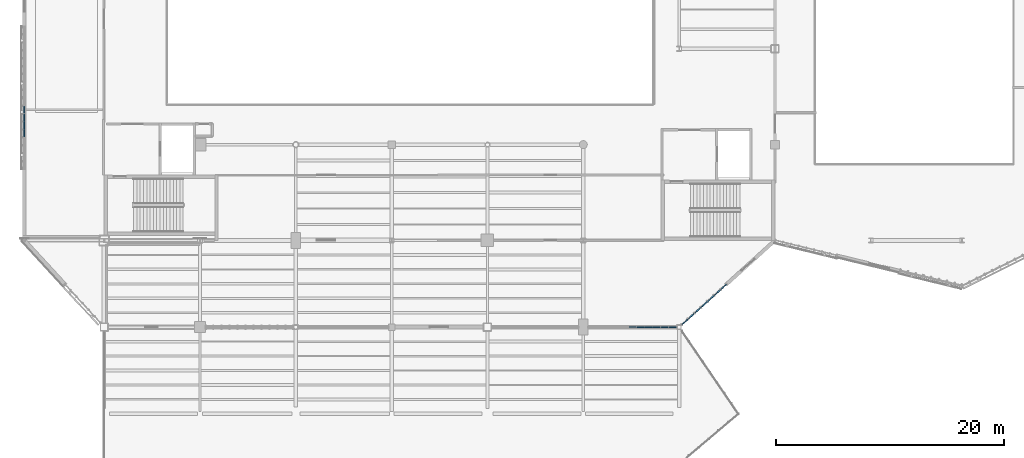
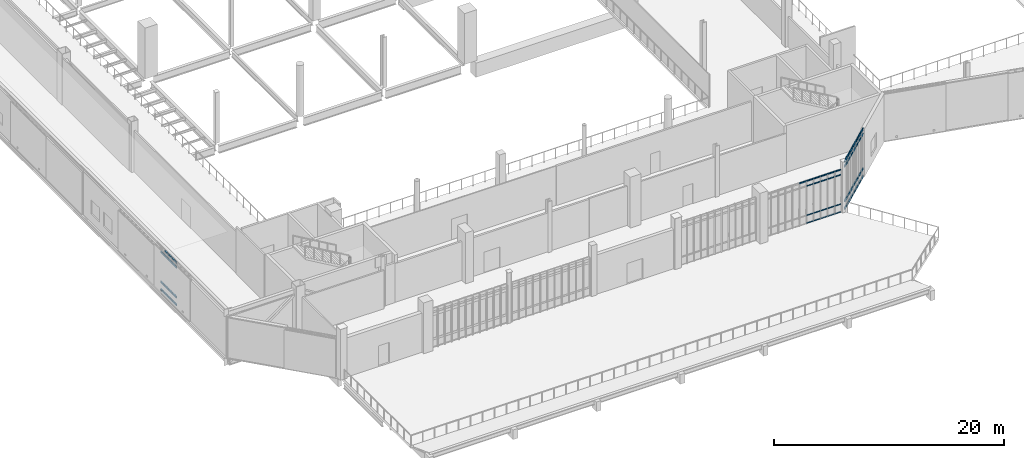
# One storey, part 48 of 127: 64 members, 3 elements without a shape of their own.
"""IFC4 building model written with IfcOpenShell, lengths in metres."""

import ifcopenshell
import ifcopenshell.guid

model = None  # the IFC model being written
_history = None  # IfcOwnerHistory: only IFC2X3 demands one
_inside = {}  # id of a spatial element -> (the spatial element, [elements in it])
_under = {}  # id of a project, library or spatial element -> (it, [spatial elements below it])
_declared = {}  # id of a project -> (the project, [libraries it declares])
_typed = {}  # id of a type object -> (the type object, [elements of that type])
_made_of = {}  # id of a material, layer set ... -> (it, [elements and type objects made of it])


def new_model(schema):
    """Start an empty IFC model of exactly this schema.

    Asked for "IFC4X3", IfcOpenShell would pick the latest addendum, in which some entities
    have other attributes; the version numbers below select the first issue.
    IFC2X3 requires an IfcOwnerHistory on every rooted entity: one is made here for all.
    """
    global model, _history
    if schema == "IFC4X3":
        model = ifcopenshell.file(schema_version=(4, 3, 0, 0))
    else:
        model = ifcopenshell.file(schema=schema)
    _inside.clear()
    _under.clear()
    _declared.clear()
    _typed.clear()
    _made_of.clear()
    _history = None
    if model.schema == "IFC2X3":
        org = make("IfcOrganization", Name="unknown")
        user = make(
            "IfcPersonAndOrganization",
            ThePerson=make("IfcPerson", FamilyName="unknown"),
            TheOrganization=org,
        )
        app = make(
            "IfcApplication",
            ApplicationDeveloper=org,
            Version="unknown",
            ApplicationFullName="unknown",
            ApplicationIdentifier="unknown",
        )
        _history = make(
            "IfcOwnerHistory",
            OwningUser=user,
            OwningApplication=app,
            ChangeAction="ADDED",
            CreationDate=0,
        )
    return model


def make(cls, **values):
    """One entity of the class cls with the attributes given. An attribute that is None is left unset."""
    return model.create_entity(
        cls, **{name: value for name, value in values.items() if value is not None}
    )


def rooted(cls, **values):
    """An entity with a GlobalId (a new one), such as an element, a storey or a relation."""
    return make(cls, GlobalId=ifcopenshell.guid.new(), OwnerHistory=_history, **values)


def si_unit(unit_type, name, prefix=None):
    """IfcSIUnit, for example si_unit("LENGTHUNIT", "METRE", prefix="MILLI")."""
    return make("IfcSIUnit", UnitType=unit_type, Prefix=prefix, Name=name)


def assignment(units):
    """IfcUnitAssignment: the units of a project."""
    return None if units is None else make("IfcUnitAssignment", Units=units)


def point(xyz):
    """IfcCartesianPoint."""
    return None if xyz is None else make("IfcCartesianPoint", Coordinates=xyz)


def direction(xyz):
    """IfcDirection."""
    return None if xyz is None else make("IfcDirection", DirectionRatios=xyz)


def frame(location, z_axis=None, x_axis=None):
    """IfcAxis2Placement3D, a coordinate frame: its origin and axes. An axis left out is left unset."""
    return make(
        "IfcAxis2Placement3D",
        Location=point(location),
        Axis=direction(z_axis),
        RefDirection=direction(x_axis),
    )


def frame_2d(location, x_axis=None):
    """IfcAxis2Placement2D, a coordinate frame in the plane: its origin and x axis."""
    return make(
        "IfcAxis2Placement2D", Location=point(location), RefDirection=direction(x_axis)
    )


def origin():
    """The frame at (0, 0, 0) with its axes left unset."""
    return frame((0.0, 0.0, 0.0))


def origin_2d():
    """The frame at (0, 0) in the plane with its x axis left unset."""
    return frame_2d((0.0, 0.0))


def place(relative_to, where):
    """IfcLocalPlacement: puts the frame where relative to a parent placement (None: the world)."""
    return make(
        "IfcLocalPlacement", PlacementRelTo=relative_to, RelativePlacement=where
    )


def context(
    kind, dimensions, precision=None, world=None, true_north=None, identifier=None
):
    """IfcGeometricRepresentationContext, for example the 3D "Model" context."""
    return make(
        "IfcGeometricRepresentationContext",
        ContextIdentifier=identifier,
        ContextType=kind,
        CoordinateSpaceDimension=dimensions,
        Precision=precision,
        WorldCoordinateSystem=world,
        TrueNorth=true_north,
    )


def subcontext(parent, identifier, kind, view, scale=None):
    """IfcGeometricRepresentationSubContext, for example "Body" below "Model"."""
    return make(
        "IfcGeometricRepresentationSubContext",
        ContextIdentifier=identifier,
        ContextType=kind,
        ParentContext=parent,
        TargetScale=scale,
        TargetView=view,
    )


def project(units=None, contexts=None):
    """IfcProject with its units and contexts."""
    return rooted(
        "IfcProject",
        Name="project",
        RepresentationContexts=contexts,
        UnitsInContext=assignment(units),
    )


def spatial(cls, under=None, at=None, **own):
    """A site, building, storey or space (cls), placed at a placement, below another one or the project."""
    s = rooted(cls, ObjectPlacement=at, **own)
    if under is not None:
        _under.setdefault(under.id(), (under, []))[1].append(s)
    return s


def profile(cls, at=None, kind="AREA", **sizes):
    """A parametric profile (cls). Its sizes go by their IFC names, for example OverallWidth=200.0."""
    return make(cls, ProfileType=kind, Position=at, **sizes)


def rectangle(**sizes):
    """IfcRectangleProfileDef."""
    return profile("IfcRectangleProfileDef", **sizes)


def extrude(swept, where, along, depth):
    """IfcExtrudedAreaSolid: the profile swept, set in the frame where, extruded along a direction by depth."""
    return make(
        "IfcExtrudedAreaSolid",
        SweptArea=swept,
        Position=where,
        ExtrudedDirection=direction(along),
        Depth=depth,
    )


def shape(context_of_items, identifier, shape_type, items):
    """IfcShapeRepresentation: the items that make up one representation, for example the "Body"."""
    return make(
        "IfcShapeRepresentation",
        ContextOfItems=context_of_items,
        RepresentationIdentifier=identifier,
        RepresentationType=shape_type,
        Items=items,
    )


def material(Name=None, Category=None):
    """IfcMaterial."""
    return make("IfcMaterial", Name=Name, Category=Category)


def material_profile(
    of_material, cross_section, Name=None, Category=None, Priority=None
):
    """IfcMaterialProfile: a cross section and its material."""
    return make(
        "IfcMaterialProfile",
        Name=Name,
        Material=of_material,
        Profile=cross_section,
        Priority=Priority,
        Category=Category,
    )


def profile_set(profiles, Name=None, composite=None):
    """IfcMaterialProfileSet."""
    return make(
        "IfcMaterialProfileSet",
        Name=Name,
        MaterialProfiles=profiles,
        CompositeProfile=composite,
    )


def made_of(thing, what):
    """Note that an element or type object is made of a material, layer set ...; save() writes the relation."""
    if what is not None:
        _made_of.setdefault(what.id(), (what, []))[1].append(thing)
    return thing


def type_object(cls, material=None, **own):
    """A type object (cls), such as IfcWallType, which elements share."""
    return made_of(rooted(cls, **own), material)


def element(
    cls,
    number,
    at=None,
    inside=None,
    cuts=None,
    type_object=None,
    material=None,
    context=None,
    identifier="Body",
    shape_type=None,
    held_by="IfcProductDefinitionShape",
    body=None,
    shapes=None,
    **own,
):
    """One element of the class cls, such as IfcWall. Its Tag is "e" and its number.

    at: its placement. inside: the storey or other place that contains it. cuts: it is an
    opening in that element (IfcRelVoidsElement). A single representation is given by context,
    identifier, shape_type and body (its items); several are given by shapes. held_by: the class
    of the entity that holds the representations. save() writes the other relations.
    """
    e = rooted(cls, Tag="e%d" % number, ObjectPlacement=at, **own)
    if body is not None:
        shapes = [shape(context, identifier, shape_type, body)]
    if shapes is not None:
        e.Representation = make(held_by, Representations=shapes)
    if inside is not None:
        _inside.setdefault(inside.id(), (inside, []))[1].append(e)
    if cuts is not None:
        rooted(
            "IfcRelVoidsElement", RelatingBuildingElement=cuts, RelatedOpeningElement=e
        )
    if type_object is not None:
        _typed.setdefault(type_object.id(), (type_object, []))[1].append(e)
    return made_of(e, material)


def aggregate(whole, parts):
    """IfcRelAggregates: a whole, such as a stair, and the parts it consists of."""
    return rooted("IfcRelAggregates", RelatingObject=whole, RelatedObjects=parts)


def save(model, path):
    """Write the relations noted so far, then the file.

    IfcRelAggregates (storeys below a building ...), IfcRelContainedInSpatialStructure (elements
    in a storey), IfcRelDefinesByType, IfcRelAssociatesMaterial and IfcRelDeclares: one each for
    every whole, place, type object, material and project.
    """
    for whole, parts in _under.values():
        aggregate(whole, parts)
    for where, things in _inside.values():
        rooted(
            "IfcRelContainedInSpatialStructure",
            RelatedElements=things,
            RelatingStructure=where,
        )
    for kind, things in _typed.values():
        rooted("IfcRelDefinesByType", RelatedObjects=things, RelatingType=kind)
    for what, things in _made_of.values():
        rooted("IfcRelAssociatesMaterial", RelatedObjects=things, RelatingMaterial=what)
    for by, libraries in _declared.values():
        rooted("IfcRelDeclares", RelatingContext=by, RelatedDefinitions=libraries)
    model.write(path)


model = new_model("IFC4")

# Units and contexts
model_context = context("Model", 3, precision=1e-05, world=origin(), true_north=direction((0.0, 1.0)))
body_context = subcontext(model_context, "Body", "Model", "MODEL_VIEW")
ifc_project = project(units=[si_unit("LENGTHUNIT", "METRE"), si_unit("AREAUNIT", "SQUARE_METRE"), si_unit("VOLUMEUNIT", "CUBIC_METRE"), si_unit("PLANEANGLEUNIT", "RADIAN"), si_unit("MASSUNIT", "GRAM", prefix="KILO")], contexts=[model_context])

# Site, building, storey
site_placement = place(None, origin())
site = spatial("IfcSite", under=ifc_project, at=site_placement, CompositionType="ELEMENT")
building_placement = place(site_placement, origin())
building = spatial("IfcBuilding", under=site, at=building_placement, Name="Larkvane Passage Sports Hall", CompositionType="ELEMENT")
storey_placement = place(building_placement, frame((0.0, 0.0, 5.39990234375)))
storey = spatial("IfcBuildingStorey", under=building, at=storey_placement, Name="L01", CompositionType="ELEMENT", Elevation=5.39990234375)

# Curtain wall, members
ifc_material_1 = material(Name="Thermally broken aluminium and low-E glazing", Category="aluminium")
curtain_wall_type_1 = type_object("IfcCurtainWallType", Name="CW-UNIT-COURT", PredefinedType="USERDEFINED", material=ifc_material_1)
curtain_wall_1_placement = place(storey_placement, origin())
curtain_wall_1 = element("IfcCurtainWall", 1, at=curtain_wall_1_placement, inside=storey, type_object=curtain_wall_type_1, Name="Curtain wall CW5-L01-028", ObjectType="UNITISED CURTAIN WALL", PredefinedType="USERDEFINED")
ifc_material_2 = material(Name="Anodised aluminium 6063-T6", Category="aluminium")
ifc_material_profile_1 = material_profile(ifc_material_2, rectangle(XDim=0.06005859375, YDim=0.1201171875, at=origin_2d()), Name="ALU-TRN-60x120")
ifc_profile_set_1 = profile_set([ifc_material_profile_1], Name="Anodised aluminium 6063-T6")
member_type_1 = type_object("IfcMemberType", Name="CW-TRN-60x120", PredefinedType="USERDEFINED", material=ifc_profile_set_1)
member_1_placement = place(storey_placement, frame((84.944091796875, 15.199951171875, 0.030029296875), z_axis=(-1.0, 0.0, 0.0), x_axis=(0.0, -1.0, 0.0)))
member_1 = element("IfcMember", 2, at=member_1_placement, type_object=member_type_1, Name="CW-01 transom 1.1", ObjectType="TRANSOM", PredefinedType="USERDEFINED", context=body_context, shape_type="SweptSolid", body=[
    extrude(rectangle(XDim=0.06005859375, YDim=0.1201171875, at=origin_2d()), origin(), (0.0, 0.0, 1.0), 0.619873046875),
])
member_2_placement = place(storey_placement, frame((84.944091796875, 15.199951171875, 0.85009765625), z_axis=(-1.0, 0.0, 0.0), x_axis=(0.0, -1.0, 0.0)))
member_2 = element("IfcMember", 3, at=member_2_placement, type_object=member_type_1, Name="CW-01 transom 1.2", ObjectType="TRANSOM", PredefinedType="USERDEFINED", context=body_context, shape_type="SweptSolid", body=[
    extrude(rectangle(XDim=0.06005859375, YDim=0.1201171875, at=origin_2d()), origin(), (0.0, 0.0, 1.0), 0.619873046875),
])
member_3_placement = place(storey_placement, frame((84.944091796875, 15.199951171875, 3.97802734375), z_axis=(-1.0, 0.0, 0.0), x_axis=(0.0, -1.0, 0.0)))
member_3 = element("IfcMember", 4, at=member_3_placement, type_object=member_type_1, Name="CW-01 transom 1.3", ObjectType="TRANSOM", PredefinedType="USERDEFINED", context=body_context, shape_type="SweptSolid", body=[
    extrude(rectangle(XDim=0.06005859375, YDim=0.1201171875, at=origin_2d()), origin(), (0.0, 0.0, 1.0), 0.619873046875),
])
member_4_placement = place(storey_placement, frame((84.944091796875, 15.199951171875, 4.498046875), z_axis=(-1.0, 0.0, 0.0), x_axis=(0.0, -1.0, 0.0)))
member_4 = element("IfcMember", 5, at=member_4_placement, type_object=member_type_1, Name="CW-01 transom 1.4", ObjectType="TRANSOM", PredefinedType="USERDEFINED", context=body_context, shape_type="SweptSolid", body=[
    extrude(rectangle(XDim=0.06005859375, YDim=0.1201171875, at=origin_2d()), origin(), (0.0, 0.0, 1.0), 0.619873046875),
])
member_5_placement = place(storey_placement, frame((84.26416015625, 15.199951171875, 0.030029296875), z_axis=(-1.0, 0.0, 0.0), x_axis=(0.0, -1.0, 0.0)))
member_5 = element("IfcMember", 6, at=member_5_placement, type_object=member_type_1, Name="CW-01 transom 2.1", ObjectType="TRANSOM", PredefinedType="USERDEFINED", context=body_context, shape_type="SweptSolid", body=[
    extrude(rectangle(XDim=0.06005859375, YDim=0.1201171875, at=origin_2d()), origin(), (0.0, 0.0, 1.0), 0.64990234375),
])
member_6_placement = place(storey_placement, frame((84.26416015625, 15.199951171875, 0.85009765625), z_axis=(-1.0, 0.0, 0.0), x_axis=(0.0, -1.0, 0.0)))
member_6 = element("IfcMember", 7, at=member_6_placement, type_object=member_type_1, Name="CW-01 transom 2.2", ObjectType="TRANSOM", PredefinedType="USERDEFINED", context=body_context, shape_type="SweptSolid", body=[
    extrude(rectangle(XDim=0.06005859375, YDim=0.1201171875, at=origin_2d()), origin(), (0.0, 0.0, 1.0), 0.64990234375),
])
member_7_placement = place(storey_placement, frame((84.26416015625, 15.199951171875, 3.97802734375), z_axis=(-1.0, 0.0, 0.0), x_axis=(0.0, -1.0, 0.0)))
member_7 = element("IfcMember", 8, at=member_7_placement, type_object=member_type_1, Name="CW-01 transom 2.3", ObjectType="TRANSOM", PredefinedType="USERDEFINED", context=body_context, shape_type="SweptSolid", body=[
    extrude(rectangle(XDim=0.06005859375, YDim=0.1201171875, at=origin_2d()), origin(), (0.0, 0.0, 1.0), 0.64990234375),
])
member_8_placement = place(storey_placement, frame((84.26416015625, 15.199951171875, 4.498046875), z_axis=(-1.0, 0.0, 0.0), x_axis=(0.0, -1.0, 0.0)))
member_8 = element("IfcMember", 9, at=member_8_placement, type_object=member_type_1, Name="CW-01 transom 2.4", ObjectType="TRANSOM", PredefinedType="USERDEFINED", context=body_context, shape_type="SweptSolid", body=[
    extrude(rectangle(XDim=0.06005859375, YDim=0.1201171875, at=origin_2d()), origin(), (0.0, 0.0, 1.0), 0.64990234375),
])
member_9_placement = place(storey_placement, frame((83.554443359375, 15.199951171875, 0.030029296875), z_axis=(-1.0, 0.0, 0.0), x_axis=(0.0, -1.0, 0.0)))
member_9 = element("IfcMember", 10, at=member_9_placement, type_object=member_type_1, Name="CW-01 transom 3.1", ObjectType="TRANSOM", PredefinedType="USERDEFINED", context=body_context, shape_type="SweptSolid", body=[
    extrude(rectangle(XDim=0.06005859375, YDim=0.1201171875, at=origin_2d()), origin(), (0.0, 0.0, 1.0), 0.64990234375),
])
member_10_placement = place(storey_placement, frame((83.554443359375, 15.199951171875, 0.85009765625), z_axis=(-1.0, 0.0, 0.0), x_axis=(0.0, -1.0, 0.0)))
member_10 = element("IfcMember", 11, at=member_10_placement, type_object=member_type_1, Name="CW-01 transom 3.2", ObjectType="TRANSOM", PredefinedType="USERDEFINED", context=body_context, shape_type="SweptSolid", body=[
    extrude(rectangle(XDim=0.06005859375, YDim=0.1201171875, at=origin_2d()), origin(), (0.0, 0.0, 1.0), 0.64990234375),
])
member_11_placement = place(storey_placement, frame((83.554443359375, 15.199951171875, 3.97802734375), z_axis=(-1.0, 0.0, 0.0), x_axis=(0.0, -1.0, 0.0)))
member_11 = element("IfcMember", 12, at=member_11_placement, type_object=member_type_1, Name="CW-01 transom 3.3", ObjectType="TRANSOM", PredefinedType="USERDEFINED", context=body_context, shape_type="SweptSolid", body=[
    extrude(rectangle(XDim=0.06005859375, YDim=0.1201171875, at=origin_2d()), origin(), (0.0, 0.0, 1.0), 0.64990234375),
])
member_12_placement = place(storey_placement, frame((83.554443359375, 15.199951171875, 4.498046875), z_axis=(-1.0, 0.0, 0.0), x_axis=(0.0, -1.0, 0.0)))
member_12 = element("IfcMember", 13, at=member_12_placement, type_object=member_type_1, Name="CW-01 transom 3.4", ObjectType="TRANSOM", PredefinedType="USERDEFINED", context=body_context, shape_type="SweptSolid", body=[
    extrude(rectangle(XDim=0.06005859375, YDim=0.1201171875, at=origin_2d()), origin(), (0.0, 0.0, 1.0), 0.64990234375),
])
member_13_placement = place(storey_placement, frame((82.844482421875, 15.199951171875, 0.030029296875), z_axis=(-1.0, 0.0, 0.0), x_axis=(0.0, -1.0, 0.0)))
member_13 = element("IfcMember", 14, at=member_13_placement, type_object=member_type_1, Name="CW-01 transom 4.1", ObjectType="TRANSOM", PredefinedType="USERDEFINED", context=body_context, shape_type="SweptSolid", body=[
    extrude(rectangle(XDim=0.06005859375, YDim=0.1201171875, at=origin_2d()), origin(), (0.0, 0.0, 1.0), 0.649658203125),
])
member_14_placement = place(storey_placement, frame((82.844482421875, 15.199951171875, 0.85009765625), z_axis=(-1.0, 0.0, 0.0), x_axis=(0.0, -1.0, 0.0)))
member_14 = element("IfcMember", 15, at=member_14_placement, type_object=member_type_1, Name="CW-01 transom 4.2", ObjectType="TRANSOM", PredefinedType="USERDEFINED", context=body_context, shape_type="SweptSolid", body=[
    extrude(rectangle(XDim=0.06005859375, YDim=0.1201171875, at=origin_2d()), origin(), (0.0, 0.0, 1.0), 0.649658203125),
])
member_15_placement = place(storey_placement, frame((82.844482421875, 15.199951171875, 3.97802734375), z_axis=(-1.0, 0.0, 0.0), x_axis=(0.0, -1.0, 0.0)))
member_15 = element("IfcMember", 16, at=member_15_placement, type_object=member_type_1, Name="CW-01 transom 4.3", ObjectType="TRANSOM", PredefinedType="USERDEFINED", context=body_context, shape_type="SweptSolid", body=[
    extrude(rectangle(XDim=0.06005859375, YDim=0.1201171875, at=origin_2d()), origin(), (0.0, 0.0, 1.0), 0.649658203125),
])
member_16_placement = place(storey_placement, frame((82.844482421875, 15.199951171875, 4.498046875), z_axis=(-1.0, 0.0, 0.0), x_axis=(0.0, -1.0, 0.0)))
member_16 = element("IfcMember", 17, at=member_16_placement, type_object=member_type_1, Name="CW-01 transom 4.4", ObjectType="TRANSOM", PredefinedType="USERDEFINED", context=body_context, shape_type="SweptSolid", body=[
    extrude(rectangle(XDim=0.06005859375, YDim=0.1201171875, at=origin_2d()), origin(), (0.0, 0.0, 1.0), 0.649658203125),
])
member_17_placement = place(storey_placement, frame((82.134765625, 15.199951171875, 0.030029296875), z_axis=(-1.0, 0.0, 0.0), x_axis=(0.0, -1.0, 0.0)))
member_17 = element("IfcMember", 18, at=member_17_placement, type_object=member_type_1, Name="CW-01 transom 5.1", ObjectType="TRANSOM", PredefinedType="USERDEFINED", context=body_context, shape_type="SweptSolid", body=[
    extrude(rectangle(XDim=0.06005859375, YDim=0.1201171875, at=origin_2d()), origin(), (0.0, 0.0, 1.0), 0.64990234375),
])
member_18_placement = place(storey_placement, frame((82.134765625, 15.199951171875, 0.85009765625), z_axis=(-1.0, 0.0, 0.0), x_axis=(0.0, -1.0, 0.0)))
member_18 = element("IfcMember", 19, at=member_18_placement, type_object=member_type_1, Name="CW-01 transom 5.2", ObjectType="TRANSOM", PredefinedType="USERDEFINED", context=body_context, shape_type="SweptSolid", body=[
    extrude(rectangle(XDim=0.06005859375, YDim=0.1201171875, at=origin_2d()), origin(), (0.0, 0.0, 1.0), 0.64990234375),
])
member_19_placement = place(storey_placement, frame((82.134765625, 15.199951171875, 3.97802734375), z_axis=(-1.0, 0.0, 0.0), x_axis=(0.0, -1.0, 0.0)))
member_19 = element("IfcMember", 20, at=member_19_placement, type_object=member_type_1, Name="CW-01 transom 5.3", ObjectType="TRANSOM", PredefinedType="USERDEFINED", context=body_context, shape_type="SweptSolid", body=[
    extrude(rectangle(XDim=0.06005859375, YDim=0.1201171875, at=origin_2d()), origin(), (0.0, 0.0, 1.0), 0.64990234375),
])
member_20_placement = place(storey_placement, frame((82.134765625, 15.199951171875, 4.498046875), z_axis=(-1.0, 0.0, 0.0), x_axis=(0.0, -1.0, 0.0)))
member_20 = element("IfcMember", 21, at=member_20_placement, type_object=member_type_1, Name="CW-01 transom 5.4", ObjectType="TRANSOM", PredefinedType="USERDEFINED", context=body_context, shape_type="SweptSolid", body=[
    extrude(rectangle(XDim=0.06005859375, YDim=0.1201171875, at=origin_2d()), origin(), (0.0, 0.0, 1.0), 0.64990234375),
])
member_21_placement = place(storey_placement, frame((81.4248046875, 15.199951171875, 4.498046875), z_axis=(-1.0, 0.0, 0.0), x_axis=(0.0, -1.0, 0.0)))
member_21 = element("IfcMember", 22, at=member_21_placement, type_object=member_type_1, Name="CW-01 transom 6.4", ObjectType="TRANSOM", PredefinedType="USERDEFINED", context=body_context, shape_type="SweptSolid", body=[
    extrude(rectangle(XDim=0.06005859375, YDim=0.1201171875, at=origin_2d()), origin(), (0.0, 0.0, 1.0), 0.649658203125),
])
aggregate(curtain_wall_1, [member_1, member_2, member_3, member_4, member_5, member_6, member_7, member_8, member_9, member_10, member_11, member_12, member_13, member_14, member_15, member_16, member_17, member_18, member_19, member_20, member_21])

curtain_wall_type_2 = type_object("IfcCurtainWallType", Name="CW-UNIT-VEIL", PredefinedType="USERDEFINED", material=ifc_material_1)
curtain_wall_2_placement = place(storey_placement, origin())
curtain_wall_2 = element("IfcCurtainWall", 23, at=curtain_wall_2_placement, inside=storey, type_object=curtain_wall_type_2, Name="Curtain wall CW5-L01-033", ObjectType="UNITISED CURTAIN WALL", PredefinedType="USERDEFINED")
ifc_material_profile_2 = material_profile(ifc_material_2, rectangle(XDim=0.074951171875, YDim=0.18505859375, at=origin_2d()), Name="ALU-TRN-75x185")
ifc_profile_set_2 = profile_set([ifc_material_profile_2], Name="Anodised aluminium 6063-T6")
member_type_2 = type_object("IfcMemberType", Name="CW-TRN-75x185", PredefinedType="USERDEFINED", material=ifc_profile_set_2)
member_22_placement = place(storey_placement, frame((27.800048828125, 31.871826171875, 0.03759765625), z_axis=(0.0, 1.0, 0.0), x_axis=(-1.0, 0.0, 0.0)))
member_22 = element("IfcMember", 24, at=member_22_placement, type_object=member_type_2, Name="CW-02 transom 5.1", ObjectType="TRANSOM", PredefinedType="USERDEFINED", context=body_context, shape_type="SweptSolid", body=[
    extrude(rectangle(XDim=0.074951171875, YDim=0.18505859375, at=origin_2d()), origin(), (0.0, 0.0, 1.0), 0.619873046875),
])
member_23_placement = place(storey_placement, frame((27.800048828125, 31.871826171875, 0.85009765625), z_axis=(0.0, 1.0, 0.0), x_axis=(-1.0, 0.0, 0.0)))
member_23 = element("IfcMember", 25, at=member_23_placement, type_object=member_type_2, Name="CW-02 transom 5.2", ObjectType="TRANSOM", PredefinedType="USERDEFINED", context=body_context, shape_type="SweptSolid", body=[
    extrude(rectangle(XDim=0.074951171875, YDim=0.18505859375, at=origin_2d()), origin(), (0.0, 0.0, 1.0), 0.619873046875),
])
member_24_placement = place(storey_placement, frame((27.800048828125, 31.871826171875, 4.028076171875), z_axis=(0.0, 1.0, 0.0), x_axis=(-1.0, 0.0, 0.0)))
member_24 = element("IfcMember", 26, at=member_24_placement, type_object=member_type_2, Name="CW-02 transom 5.3", ObjectType="TRANSOM", PredefinedType="USERDEFINED", context=body_context, shape_type="SweptSolid", body=[
    extrude(rectangle(XDim=0.074951171875, YDim=0.18505859375, at=origin_2d()), origin(), (0.0, 0.0, 1.0), 0.619873046875),
])
member_25_placement = place(storey_placement, frame((27.800048828125, 31.871826171875, 4.54052734375), z_axis=(0.0, 1.0, 0.0), x_axis=(-1.0, 0.0, 0.0)))
member_25 = element("IfcMember", 27, at=member_25_placement, type_object=member_type_2, Name="CW-02 transom 5.4", ObjectType="TRANSOM", PredefinedType="USERDEFINED", context=body_context, shape_type="SweptSolid", body=[
    extrude(rectangle(XDim=0.074951171875, YDim=0.18505859375, at=origin_2d()), origin(), (0.0, 0.0, 1.0), 0.619873046875),
])
member_26_placement = place(storey_placement, frame((27.800048828125, 32.56689453125, 0.03759765625), z_axis=(0.0, 1.0, 0.0), x_axis=(-1.0, 0.0, 0.0)))
member_26 = element("IfcMember", 28, at=member_26_placement, type_object=member_type_2, Name="CW-02 transom 6.1", ObjectType="TRANSOM", PredefinedType="USERDEFINED", context=body_context, shape_type="SweptSolid", body=[
    extrude(rectangle(XDim=0.074951171875, YDim=0.18505859375, at=origin_2d()), origin(), (0.0, 0.0, 1.0), 0.619873046875),
])
member_27_placement = place(storey_placement, frame((27.800048828125, 32.56689453125, 0.85009765625), z_axis=(0.0, 1.0, 0.0), x_axis=(-1.0, 0.0, 0.0)))
member_27 = element("IfcMember", 29, at=member_27_placement, type_object=member_type_2, Name="CW-02 transom 6.2", ObjectType="TRANSOM", PredefinedType="USERDEFINED", context=body_context, shape_type="SweptSolid", body=[
    extrude(rectangle(XDim=0.074951171875, YDim=0.18505859375, at=origin_2d()), origin(), (0.0, 0.0, 1.0), 0.619873046875),
])
member_28_placement = place(storey_placement, frame((27.800048828125, 32.56689453125, 4.028076171875), z_axis=(0.0, 1.0, 0.0), x_axis=(-1.0, 0.0, 0.0)))
member_28 = element("IfcMember", 30, at=member_28_placement, type_object=member_type_2, Name="CW-02 transom 6.3", ObjectType="TRANSOM", PredefinedType="USERDEFINED", context=body_context, shape_type="SweptSolid", body=[
    extrude(rectangle(XDim=0.074951171875, YDim=0.18505859375, at=origin_2d()), origin(), (0.0, 0.0, 1.0), 0.619873046875),
])
member_29_placement = place(storey_placement, frame((27.800048828125, 32.56689453125, 4.54052734375), z_axis=(0.0, 1.0, 0.0), x_axis=(-1.0, 0.0, 0.0)))
member_29 = element("IfcMember", 31, at=member_29_placement, type_object=member_type_2, Name="CW-02 transom 6.4", ObjectType="TRANSOM", PredefinedType="USERDEFINED", context=body_context, shape_type="SweptSolid", body=[
    extrude(rectangle(XDim=0.074951171875, YDim=0.18505859375, at=origin_2d()), origin(), (0.0, 0.0, 1.0), 0.619873046875),
])
member_30_placement = place(storey_placement, frame((27.800048828125, 33.26171875, 0.03759765625), z_axis=(0.0, 1.0, 0.0), x_axis=(-1.0, 0.0, 0.0)))
member_30 = element("IfcMember", 32, at=member_30_placement, type_object=member_type_2, Name="CW-02 transom 7.1", ObjectType="TRANSOM", PredefinedType="USERDEFINED", context=body_context, shape_type="SweptSolid", body=[
    extrude(rectangle(XDim=0.074951171875, YDim=0.18505859375, at=origin_2d()), origin(), (0.0, 0.0, 1.0), 0.619873046875),
])
member_31_placement = place(storey_placement, frame((27.800048828125, 33.26171875, 0.85009765625), z_axis=(0.0, 1.0, 0.0), x_axis=(-1.0, 0.0, 0.0)))
member_31 = element("IfcMember", 33, at=member_31_placement, type_object=member_type_2, Name="CW-02 transom 7.2", ObjectType="TRANSOM", PredefinedType="USERDEFINED", context=body_context, shape_type="SweptSolid", body=[
    extrude(rectangle(XDim=0.074951171875, YDim=0.18505859375, at=origin_2d()), origin(), (0.0, 0.0, 1.0), 0.619873046875),
])
member_32_placement = place(storey_placement, frame((27.800048828125, 33.26171875, 4.028076171875), z_axis=(0.0, 1.0, 0.0), x_axis=(-1.0, 0.0, 0.0)))
member_32 = element("IfcMember", 34, at=member_32_placement, type_object=member_type_2, Name="CW-02 transom 7.3", ObjectType="TRANSOM", PredefinedType="USERDEFINED", context=body_context, shape_type="SweptSolid", body=[
    extrude(rectangle(XDim=0.074951171875, YDim=0.18505859375, at=origin_2d()), origin(), (0.0, 0.0, 1.0), 0.619873046875),
])
member_33_placement = place(storey_placement, frame((27.800048828125, 33.26171875, 4.54052734375), z_axis=(0.0, 1.0, 0.0), x_axis=(-1.0, 0.0, 0.0)))
member_33 = element("IfcMember", 35, at=member_33_placement, type_object=member_type_2, Name="CW-02 transom 7.4", ObjectType="TRANSOM", PredefinedType="USERDEFINED", context=body_context, shape_type="SweptSolid", body=[
    extrude(rectangle(XDim=0.074951171875, YDim=0.18505859375, at=origin_2d()), origin(), (0.0, 0.0, 1.0), 0.619873046875),
])
member_34_placement = place(storey_placement, frame((27.800048828125, 33.956787109375, 0.03759765625), z_axis=(0.0, 1.0, 0.0), x_axis=(-1.0, 0.0, 0.0)))
member_34 = element("IfcMember", 36, at=member_34_placement, type_object=member_type_2, Name="CW-02 transom 8.1", ObjectType="TRANSOM", PredefinedType="USERDEFINED", context=body_context, shape_type="SweptSolid", body=[
    extrude(rectangle(XDim=0.074951171875, YDim=0.18505859375, at=origin_2d()), origin(), (0.0, 0.0, 1.0), 0.619873046875),
])
member_35_placement = place(storey_placement, frame((27.800048828125, 33.956787109375, 0.85009765625), z_axis=(0.0, 1.0, 0.0), x_axis=(-1.0, 0.0, 0.0)))
member_35 = element("IfcMember", 37, at=member_35_placement, type_object=member_type_2, Name="CW-02 transom 8.2", ObjectType="TRANSOM", PredefinedType="USERDEFINED", context=body_context, shape_type="SweptSolid", body=[
    extrude(rectangle(XDim=0.074951171875, YDim=0.18505859375, at=origin_2d()), origin(), (0.0, 0.0, 1.0), 0.619873046875),
])
member_36_placement = place(storey_placement, frame((27.800048828125, 33.956787109375, 4.028076171875), z_axis=(0.0, 1.0, 0.0), x_axis=(-1.0, 0.0, 0.0)))
member_36 = element("IfcMember", 38, at=member_36_placement, type_object=member_type_2, Name="CW-02 transom 8.3", ObjectType="TRANSOM", PredefinedType="USERDEFINED", context=body_context, shape_type="SweptSolid", body=[
    extrude(rectangle(XDim=0.074951171875, YDim=0.18505859375, at=origin_2d()), origin(), (0.0, 0.0, 1.0), 0.619873046875),
])
aggregate(curtain_wall_2, [member_22, member_23, member_24, member_25, member_26, member_27, member_28, member_29, member_30, member_31, member_32, member_33, member_34, member_35, member_36])

curtain_wall_3_placement = place(storey_placement, origin())
curtain_wall_3 = element("IfcCurtainWall", 39, at=curtain_wall_3_placement, inside=storey, type_object=curtain_wall_type_2, Name="Curtain wall CW5-L01-065", ObjectType="UNITISED CURTAIN WALL", PredefinedType="USERDEFINED")
member_37_placement = place(storey_placement, frame((89.344482421875, 18.94970703125, 0.03759765625), z_axis=(-0.741535779124, -0.670913323969, 0.0), x_axis=(0.670913323969, -0.741535779124, 0.0)))
member_37 = element("IfcMember", 40, at=member_37_placement, type_object=member_type_2, Name="CW-02 transom 1.1", ObjectType="TRANSOM", PredefinedType="USERDEFINED", context=body_context, shape_type="SweptSolid", body=[
    extrude(rectangle(XDim=0.074951171875, YDim=0.18505859375, at=origin_2d()), origin(), (0.0, 0.0, 1.0), 0.65673828125),
])
member_38_placement = place(storey_placement, frame((89.344482421875, 18.94970703125, 0.85009765625), z_axis=(-0.741535779124, -0.670913323969, 0.0), x_axis=(0.670913323969, -0.741535779124, 0.0)))
member_38 = element("IfcMember", 41, at=member_38_placement, type_object=member_type_2, Name="CW-02 transom 1.2", ObjectType="TRANSOM", PredefinedType="USERDEFINED", context=body_context, shape_type="SweptSolid", body=[
    extrude(rectangle(XDim=0.074951171875, YDim=0.18505859375, at=origin_2d()), origin(), (0.0, 0.0, 1.0), 0.65673828125),
])
member_39_placement = place(storey_placement, frame((89.344482421875, 18.94970703125, 4.5400390625), z_axis=(-0.741535779124, -0.670913323969, 0.0), x_axis=(0.670913323969, -0.741535779124, 0.0)))
member_39 = element("IfcMember", 42, at=member_39_placement, type_object=member_type_2, Name="CW-02 transom 1.3", ObjectType="TRANSOM", PredefinedType="USERDEFINED", context=body_context, shape_type="SweptSolid", body=[
    extrude(rectangle(XDim=0.074951171875, YDim=0.18505859375, at=origin_2d()), origin(), (0.0, 0.0, 1.0), 0.65673828125),
])
member_40_placement = place(storey_placement, frame((89.344482421875, 18.94970703125, 5.052490234375), z_axis=(-0.741535779124, -0.670913323969, 0.0), x_axis=(0.670913323969, -0.741535779124, 0.0)))
member_40 = element("IfcMember", 43, at=member_40_placement, type_object=member_type_2, Name="CW-02 transom 1.4", ObjectType="TRANSOM", PredefinedType="USERDEFINED", context=body_context, shape_type="SweptSolid", body=[
    extrude(rectangle(XDim=0.074951171875, YDim=0.18505859375, at=origin_2d()), origin(), (0.0, 0.0, 1.0), 0.65673828125),
])
member_41_placement = place(storey_placement, frame((88.8017578125, 18.458740234375, 0.03759765625), z_axis=(-0.741560768862, -0.670885702698, 0.0), x_axis=(0.670885702698, -0.741560768862, 0.0)))
member_41 = element("IfcMember", 44, at=member_41_placement, type_object=member_type_2, Name="CW-02 transom 2.1", ObjectType="TRANSOM", PredefinedType="USERDEFINED", context=body_context, shape_type="SweptSolid", body=[
    extrude(rectangle(XDim=0.074951171875, YDim=0.18505859375, at=origin_2d()), origin(), (0.0, 0.0, 1.0), 0.6943359375),
])
member_42_placement = place(storey_placement, frame((88.8017578125, 18.458740234375, 0.85009765625), z_axis=(-0.741560768862, -0.670885702698, 0.0), x_axis=(0.670885702698, -0.741560768862, 0.0)))
member_42 = element("IfcMember", 45, at=member_42_placement, type_object=member_type_2, Name="CW-02 transom 2.2", ObjectType="TRANSOM", PredefinedType="USERDEFINED", context=body_context, shape_type="SweptSolid", body=[
    extrude(rectangle(XDim=0.074951171875, YDim=0.18505859375, at=origin_2d()), origin(), (0.0, 0.0, 1.0), 0.6943359375),
])
member_43_placement = place(storey_placement, frame((88.8017578125, 18.458740234375, 4.5400390625), z_axis=(-0.741560768862, -0.670885702698, 0.0), x_axis=(0.670885702698, -0.741560768862, 0.0)))
member_43 = element("IfcMember", 46, at=member_43_placement, type_object=member_type_2, Name="CW-02 transom 2.3", ObjectType="TRANSOM", PredefinedType="USERDEFINED", context=body_context, shape_type="SweptSolid", body=[
    extrude(rectangle(XDim=0.074951171875, YDim=0.18505859375, at=origin_2d()), origin(), (0.0, 0.0, 1.0), 0.6943359375),
])
member_44_placement = place(storey_placement, frame((88.8017578125, 18.458740234375, 5.052490234375), z_axis=(-0.741560768862, -0.670885702698, 0.0), x_axis=(0.670885702698, -0.741560768862, 0.0)))
member_44 = element("IfcMember", 47, at=member_44_placement, type_object=member_type_2, Name="CW-02 transom 2.4", ObjectType="TRANSOM", PredefinedType="USERDEFINED", context=body_context, shape_type="SweptSolid", body=[
    extrude(rectangle(XDim=0.074951171875, YDim=0.18505859375, at=origin_2d()), origin(), (0.0, 0.0, 1.0), 0.6943359375),
])
member_45_placement = place(storey_placement, frame((88.231201171875, 17.9423828125, 0.03759765625), z_axis=(-0.741560768862, -0.670885702698, 0.0), x_axis=(0.670885702698, -0.741560768862, 0.0)))
member_45 = element("IfcMember", 48, at=member_45_placement, type_object=member_type_2, Name="CW-02 transom 3.1", ObjectType="TRANSOM", PredefinedType="USERDEFINED", context=body_context, shape_type="SweptSolid", body=[
    extrude(rectangle(XDim=0.074951171875, YDim=0.18505859375, at=origin_2d()), origin(), (0.0, 0.0, 1.0), 0.6943359375),
])
member_46_placement = place(storey_placement, frame((88.231201171875, 17.9423828125, 0.85009765625), z_axis=(-0.741560768862, -0.670885702698, 0.0), x_axis=(0.670885702698, -0.741560768862, 0.0)))
member_46 = element("IfcMember", 49, at=member_46_placement, type_object=member_type_2, Name="CW-02 transom 3.2", ObjectType="TRANSOM", PredefinedType="USERDEFINED", context=body_context, shape_type="SweptSolid", body=[
    extrude(rectangle(XDim=0.074951171875, YDim=0.18505859375, at=origin_2d()), origin(), (0.0, 0.0, 1.0), 0.6943359375),
])
member_47_placement = place(storey_placement, frame((88.231201171875, 17.9423828125, 4.5400390625), z_axis=(-0.741560768862, -0.670885702698, 0.0), x_axis=(0.670885702698, -0.741560768862, 0.0)))
member_47 = element("IfcMember", 50, at=member_47_placement, type_object=member_type_2, Name="CW-02 transom 3.3", ObjectType="TRANSOM", PredefinedType="USERDEFINED", context=body_context, shape_type="SweptSolid", body=[
    extrude(rectangle(XDim=0.074951171875, YDim=0.18505859375, at=origin_2d()), origin(), (0.0, 0.0, 1.0), 0.6943359375),
])
member_48_placement = place(storey_placement, frame((88.231201171875, 17.9423828125, 5.052490234375), z_axis=(-0.741560768862, -0.670885702698, 0.0), x_axis=(0.670885702698, -0.741560768862, 0.0)))
member_48 = element("IfcMember", 51, at=member_48_placement, type_object=member_type_2, Name="CW-02 transom 3.4", ObjectType="TRANSOM", PredefinedType="USERDEFINED", context=body_context, shape_type="SweptSolid", body=[
    extrude(rectangle(XDim=0.074951171875, YDim=0.18505859375, at=origin_2d()), origin(), (0.0, 0.0, 1.0), 0.6943359375),
])
member_49_placement = place(storey_placement, frame((87.66064453125, 17.42626953125, 0.03759765625), z_axis=(-0.741560768862, -0.670885702698, 0.0), x_axis=(0.670885702698, -0.741560768862, 0.0)))
member_49 = element("IfcMember", 52, at=member_49_placement, type_object=member_type_2, Name="CW-02 transom 4.1", ObjectType="TRANSOM", PredefinedType="USERDEFINED", context=body_context, shape_type="SweptSolid", body=[
    extrude(rectangle(XDim=0.074951171875, YDim=0.18505859375, at=origin_2d()), origin(), (0.0, 0.0, 1.0), 0.6943359375),
])
member_50_placement = place(storey_placement, frame((87.66064453125, 17.42626953125, 0.85009765625), z_axis=(-0.741560768862, -0.670885702698, 0.0), x_axis=(0.670885702698, -0.741560768862, 0.0)))
member_50 = element("IfcMember", 53, at=member_50_placement, type_object=member_type_2, Name="CW-02 transom 4.2", ObjectType="TRANSOM", PredefinedType="USERDEFINED", context=body_context, shape_type="SweptSolid", body=[
    extrude(rectangle(XDim=0.074951171875, YDim=0.18505859375, at=origin_2d()), origin(), (0.0, 0.0, 1.0), 0.6943359375),
])
member_51_placement = place(storey_placement, frame((87.66064453125, 17.42626953125, 4.5400390625), z_axis=(-0.741560768862, -0.670885702698, 0.0), x_axis=(0.670885702698, -0.741560768862, 0.0)))
member_51 = element("IfcMember", 54, at=member_51_placement, type_object=member_type_2, Name="CW-02 transom 4.3", ObjectType="TRANSOM", PredefinedType="USERDEFINED", context=body_context, shape_type="SweptSolid", body=[
    extrude(rectangle(XDim=0.074951171875, YDim=0.18505859375, at=origin_2d()), origin(), (0.0, 0.0, 1.0), 0.6943359375),
])
member_52_placement = place(storey_placement, frame((87.66064453125, 17.42626953125, 5.052490234375), z_axis=(-0.741560768862, -0.670885702698, 0.0), x_axis=(0.670885702698, -0.741560768862, 0.0)))
member_52 = element("IfcMember", 55, at=member_52_placement, type_object=member_type_2, Name="CW-02 transom 4.4", ObjectType="TRANSOM", PredefinedType="USERDEFINED", context=body_context, shape_type="SweptSolid", body=[
    extrude(rectangle(XDim=0.074951171875, YDim=0.18505859375, at=origin_2d()), origin(), (0.0, 0.0, 1.0), 0.6943359375),
])
member_53_placement = place(storey_placement, frame((87.090087890625, 16.91015625, 0.03759765625), z_axis=(-0.741560768862, -0.670885702698, 0.0), x_axis=(0.670885702698, -0.741560768862, 0.0)))
member_53 = element("IfcMember", 56, at=member_53_placement, type_object=member_type_2, Name="CW-02 transom 5.1", ObjectType="TRANSOM", PredefinedType="USERDEFINED", context=body_context, shape_type="SweptSolid", body=[
    extrude(rectangle(XDim=0.074951171875, YDim=0.18505859375, at=origin_2d()), origin(), (0.0, 0.0, 1.0), 0.6943359375),
])
member_54_placement = place(storey_placement, frame((87.090087890625, 16.91015625, 0.85009765625), z_axis=(-0.741560768862, -0.670885702698, 0.0), x_axis=(0.670885702698, -0.741560768862, 0.0)))
member_54 = element("IfcMember", 57, at=member_54_placement, type_object=member_type_2, Name="CW-02 transom 5.2", ObjectType="TRANSOM", PredefinedType="USERDEFINED", context=body_context, shape_type="SweptSolid", body=[
    extrude(rectangle(XDim=0.074951171875, YDim=0.18505859375, at=origin_2d()), origin(), (0.0, 0.0, 1.0), 0.6943359375),
])
member_55_placement = place(storey_placement, frame((87.090087890625, 16.91015625, 4.5400390625), z_axis=(-0.741560768862, -0.670885702698, 0.0), x_axis=(0.670885702698, -0.741560768862, 0.0)))
member_55 = element("IfcMember", 58, at=member_55_placement, type_object=member_type_2, Name="CW-02 transom 5.3", ObjectType="TRANSOM", PredefinedType="USERDEFINED", context=body_context, shape_type="SweptSolid", body=[
    extrude(rectangle(XDim=0.074951171875, YDim=0.18505859375, at=origin_2d()), origin(), (0.0, 0.0, 1.0), 0.6943359375),
])
member_56_placement = place(storey_placement, frame((87.090087890625, 16.91015625, 5.052490234375), z_axis=(-0.741560768862, -0.670885702698, 0.0), x_axis=(0.670885702698, -0.741560768862, 0.0)))
member_56 = element("IfcMember", 59, at=member_56_placement, type_object=member_type_2, Name="CW-02 transom 5.4", ObjectType="TRANSOM", PredefinedType="USERDEFINED", context=body_context, shape_type="SweptSolid", body=[
    extrude(rectangle(XDim=0.074951171875, YDim=0.18505859375, at=origin_2d()), origin(), (0.0, 0.0, 1.0), 0.6943359375),
])
member_57_placement = place(storey_placement, frame((86.519775390625, 16.39404296875, 0.03759765625), z_axis=(-0.741560768862, -0.670885702698, 0.0), x_axis=(0.670885702698, -0.741560768862, 0.0)))
member_57 = element("IfcMember", 60, at=member_57_placement, type_object=member_type_2, Name="CW-02 transom 6.1", ObjectType="TRANSOM", PredefinedType="USERDEFINED", context=body_context, shape_type="SweptSolid", body=[
    extrude(rectangle(XDim=0.074951171875, YDim=0.18505859375, at=origin_2d()), origin(), (0.0, 0.0, 1.0), 0.6943359375),
])
member_58_placement = place(storey_placement, frame((86.519775390625, 16.39404296875, 0.85009765625), z_axis=(-0.741560768862, -0.670885702698, 0.0), x_axis=(0.670885702698, -0.741560768862, 0.0)))
member_58 = element("IfcMember", 61, at=member_58_placement, type_object=member_type_2, Name="CW-02 transom 6.2", ObjectType="TRANSOM", PredefinedType="USERDEFINED", context=body_context, shape_type="SweptSolid", body=[
    extrude(rectangle(XDim=0.074951171875, YDim=0.18505859375, at=origin_2d()), origin(), (0.0, 0.0, 1.0), 0.6943359375),
])
member_59_placement = place(storey_placement, frame((86.519775390625, 16.39404296875, 4.5400390625), z_axis=(-0.741560768862, -0.670885702698, 0.0), x_axis=(0.670885702698, -0.741560768862, 0.0)))
member_59 = element("IfcMember", 62, at=member_59_placement, type_object=member_type_2, Name="CW-02 transom 6.3", ObjectType="TRANSOM", PredefinedType="USERDEFINED", context=body_context, shape_type="SweptSolid", body=[
    extrude(rectangle(XDim=0.074951171875, YDim=0.18505859375, at=origin_2d()), origin(), (0.0, 0.0, 1.0), 0.6943359375),
])
member_60_placement = place(storey_placement, frame((86.519775390625, 16.39404296875, 5.052490234375), z_axis=(-0.741560768862, -0.670885702698, 0.0), x_axis=(0.670885702698, -0.741560768862, 0.0)))
member_60 = element("IfcMember", 63, at=member_60_placement, type_object=member_type_2, Name="CW-02 transom 6.4", ObjectType="TRANSOM", PredefinedType="USERDEFINED", context=body_context, shape_type="SweptSolid", body=[
    extrude(rectangle(XDim=0.074951171875, YDim=0.18505859375, at=origin_2d()), origin(), (0.0, 0.0, 1.0), 0.6943359375),
])
member_61_placement = place(storey_placement, frame((85.94921875, 15.8779296875, 0.03759765625), z_axis=(-0.741350875441, -0.671117634609, 0.0), x_axis=(0.671117634609, -0.741350875441, 0.0)))
member_61 = element("IfcMember", 64, at=member_61_placement, type_object=member_type_2, Name="CW-02 transom 7.1", ObjectType="TRANSOM", PredefinedType="USERDEFINED", context=body_context, shape_type="SweptSolid", body=[
    extrude(rectangle(XDim=0.074951171875, YDim=0.18505859375, at=origin_2d()), origin(), (0.0, 0.0, 1.0), 0.656982421875),
])
member_62_placement = place(storey_placement, frame((85.94921875, 15.8779296875, 0.85009765625), z_axis=(-0.741350875441, -0.671117634609, 0.0), x_axis=(0.671117634609, -0.741350875441, 0.0)))
member_62 = element("IfcMember", 65, at=member_62_placement, type_object=member_type_2, Name="CW-02 transom 7.2", ObjectType="TRANSOM", PredefinedType="USERDEFINED", context=body_context, shape_type="SweptSolid", body=[
    extrude(rectangle(XDim=0.074951171875, YDim=0.18505859375, at=origin_2d()), origin(), (0.0, 0.0, 1.0), 0.656982421875),
])
member_63_placement = place(storey_placement, frame((85.94921875, 15.8779296875, 4.5400390625), z_axis=(-0.741350875441, -0.671117634609, 0.0), x_axis=(0.671117634609, -0.741350875441, 0.0)))
member_63 = element("IfcMember", 66, at=member_63_placement, type_object=member_type_2, Name="CW-02 transom 7.3", ObjectType="TRANSOM", PredefinedType="USERDEFINED", context=body_context, shape_type="SweptSolid", body=[
    extrude(rectangle(XDim=0.074951171875, YDim=0.18505859375, at=origin_2d()), origin(), (0.0, 0.0, 1.0), 0.656982421875),
])
member_64_placement = place(storey_placement, frame((85.94921875, 15.8779296875, 5.052490234375), z_axis=(-0.741350875441, -0.671117634609, 0.0), x_axis=(0.671117634609, -0.741350875441, 0.0)))
member_64 = element("IfcMember", 67, at=member_64_placement, type_object=member_type_2, Name="CW-02 transom 7.4", ObjectType="TRANSOM", PredefinedType="USERDEFINED", context=body_context, shape_type="SweptSolid", body=[
    extrude(rectangle(XDim=0.074951171875, YDim=0.18505859375, at=origin_2d()), origin(), (0.0, 0.0, 1.0), 0.656982421875),
])
aggregate(curtain_wall_3, [member_37, member_38, member_39, member_40, member_41, member_42, member_43, member_44, member_45, member_46, member_47, member_48, member_49, member_50, member_51, member_52, member_53, member_54, member_55, member_56, member_57, member_58, member_59, member_60, member_61, member_62, member_63, member_64])

save(model, "model.ifc")
